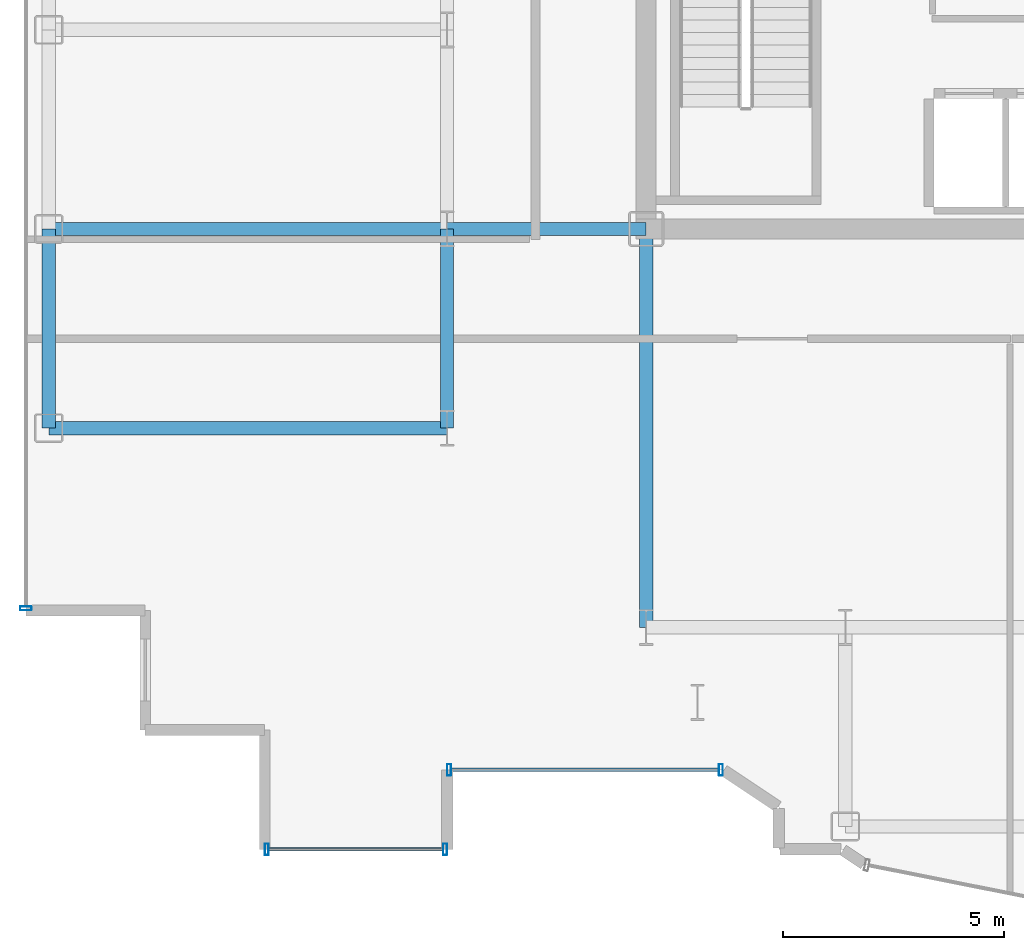
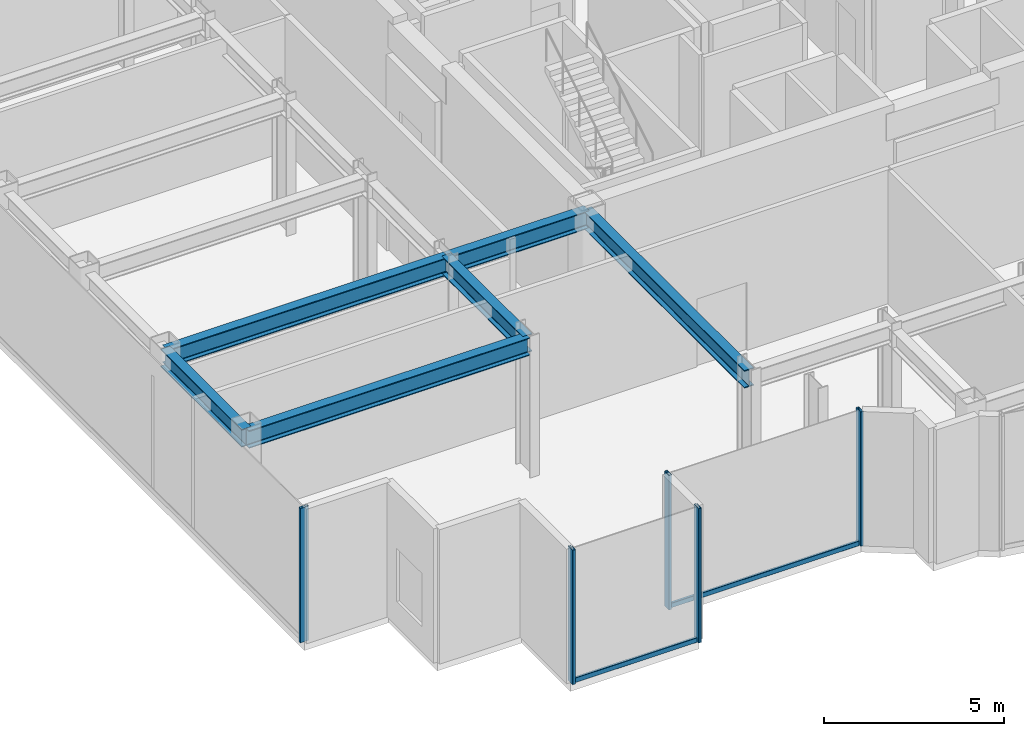
# One storey, part 2 of 20: 7 members, 6 beams, 3 elements without a shape of their own.
"""IFC4 building model written with IfcOpenShell, lengths in metres."""

import ifcopenshell
import ifcopenshell.guid

model = None  # the IFC model being written
_history = None  # IfcOwnerHistory: only IFC2X3 demands one
_inside = {}  # id of a spatial element -> (the spatial element, [elements in it])
_under = {}  # id of a project, library or spatial element -> (it, [spatial elements below it])
_declared = {}  # id of a project -> (the project, [libraries it declares])
_typed = {}  # id of a type object -> (the type object, [elements of that type])
_made_of = {}  # id of a material, layer set ... -> (it, [elements and type objects made of it])


def new_model(schema):
    """Start an empty IFC model of exactly this schema.

    Asked for "IFC4X3", IfcOpenShell would pick the latest addendum, in which some entities
    have other attributes; the version numbers below select the first issue.
    IFC2X3 requires an IfcOwnerHistory on every rooted entity: one is made here for all.
    """
    global model, _history
    if schema == "IFC4X3":
        model = ifcopenshell.file(schema_version=(4, 3, 0, 0))
    else:
        model = ifcopenshell.file(schema=schema)
    _inside.clear()
    _under.clear()
    _declared.clear()
    _typed.clear()
    _made_of.clear()
    _history = None
    if model.schema == "IFC2X3":
        org = make("IfcOrganization", Name="unknown")
        user = make(
            "IfcPersonAndOrganization",
            ThePerson=make("IfcPerson", FamilyName="unknown"),
            TheOrganization=org,
        )
        app = make(
            "IfcApplication",
            ApplicationDeveloper=org,
            Version="unknown",
            ApplicationFullName="unknown",
            ApplicationIdentifier="unknown",
        )
        _history = make(
            "IfcOwnerHistory",
            OwningUser=user,
            OwningApplication=app,
            ChangeAction="ADDED",
            CreationDate=0,
        )
    return model


def make(cls, **values):
    """One entity of the class cls with the attributes given. An attribute that is None is left unset."""
    return model.create_entity(
        cls, **{name: value for name, value in values.items() if value is not None}
    )


def rooted(cls, **values):
    """An entity with a GlobalId (a new one), such as an element, a storey or a relation."""
    return make(cls, GlobalId=ifcopenshell.guid.new(), OwnerHistory=_history, **values)


def si_unit(unit_type, name, prefix=None):
    """IfcSIUnit, for example si_unit("LENGTHUNIT", "METRE", prefix="MILLI")."""
    return make("IfcSIUnit", UnitType=unit_type, Prefix=prefix, Name=name)


def assignment(units):
    """IfcUnitAssignment: the units of a project."""
    return None if units is None else make("IfcUnitAssignment", Units=units)


def point(xyz):
    """IfcCartesianPoint."""
    return None if xyz is None else make("IfcCartesianPoint", Coordinates=xyz)


def direction(xyz):
    """IfcDirection."""
    return None if xyz is None else make("IfcDirection", DirectionRatios=xyz)


def frame(location, z_axis=None, x_axis=None):
    """IfcAxis2Placement3D, a coordinate frame: its origin and axes. An axis left out is left unset."""
    return make(
        "IfcAxis2Placement3D",
        Location=point(location),
        Axis=direction(z_axis),
        RefDirection=direction(x_axis),
    )


def frame_2d(location, x_axis=None):
    """IfcAxis2Placement2D, a coordinate frame in the plane: its origin and x axis."""
    return make(
        "IfcAxis2Placement2D", Location=point(location), RefDirection=direction(x_axis)
    )


def origin():
    """The frame at (0, 0, 0) with its axes left unset."""
    return frame((0.0, 0.0, 0.0))


def origin_2d():
    """The frame at (0, 0) in the plane with its x axis left unset."""
    return frame_2d((0.0, 0.0))


def place(relative_to, where):
    """IfcLocalPlacement: puts the frame where relative to a parent placement (None: the world)."""
    return make(
        "IfcLocalPlacement", PlacementRelTo=relative_to, RelativePlacement=where
    )


def context(
    kind, dimensions, precision=None, world=None, true_north=None, identifier=None
):
    """IfcGeometricRepresentationContext, for example the 3D "Model" context."""
    return make(
        "IfcGeometricRepresentationContext",
        ContextIdentifier=identifier,
        ContextType=kind,
        CoordinateSpaceDimension=dimensions,
        Precision=precision,
        WorldCoordinateSystem=world,
        TrueNorth=true_north,
    )


def subcontext(parent, identifier, kind, view, scale=None):
    """IfcGeometricRepresentationSubContext, for example "Body" below "Model"."""
    return make(
        "IfcGeometricRepresentationSubContext",
        ContextIdentifier=identifier,
        ContextType=kind,
        ParentContext=parent,
        TargetScale=scale,
        TargetView=view,
    )


def project(units=None, contexts=None):
    """IfcProject with its units and contexts."""
    return rooted(
        "IfcProject",
        Name="project",
        RepresentationContexts=contexts,
        UnitsInContext=assignment(units),
    )


def spatial(cls, under=None, at=None, **own):
    """A site, building, storey or space (cls), placed at a placement, below another one or the project."""
    s = rooted(cls, ObjectPlacement=at, **own)
    if under is not None:
        _under.setdefault(under.id(), (under, []))[1].append(s)
    return s


def profile(cls, at=None, kind="AREA", **sizes):
    """A parametric profile (cls). Its sizes go by their IFC names, for example OverallWidth=200.0."""
    return make(cls, ProfileType=kind, Position=at, **sizes)


def hollow_rectangle(**sizes):
    """IfcRectangleHollowProfileDef."""
    return profile("IfcRectangleHollowProfileDef", **sizes)


def i_section(**sizes):
    """IfcIShapeProfileDef."""
    return profile("IfcIShapeProfileDef", **sizes)


def extrude(swept, where, along, depth):
    """IfcExtrudedAreaSolid: the profile swept, set in the frame where, extruded along a direction by depth."""
    return make(
        "IfcExtrudedAreaSolid",
        SweptArea=swept,
        Position=where,
        ExtrudedDirection=direction(along),
        Depth=depth,
    )


def shape(context_of_items, identifier, shape_type, items):
    """IfcShapeRepresentation: the items that make up one representation, for example the "Body"."""
    return make(
        "IfcShapeRepresentation",
        ContextOfItems=context_of_items,
        RepresentationIdentifier=identifier,
        RepresentationType=shape_type,
        Items=items,
    )


def source(mapping_origin, context_of_items, identifier, shape_type, items):
    """IfcRepresentationMap: a shape defined once, which mapped items show again and again."""
    return make(
        "IfcRepresentationMap",
        MappingOrigin=mapping_origin,
        MappedRepresentation=shape(context_of_items, identifier, shape_type, items),
    )


def transform(
    local_origin,
    x_axis=None,
    y_axis=None,
    z_axis=None,
    scale=None,
    scale2=None,
    scale3=None,
    uniform=True,
):
    """IfcCartesianTransformationOperator3D, or its non-uniform kind. x_axis, y_axis, z_axis: its Axis1, 2, 3."""
    if uniform:
        return make(
            "IfcCartesianTransformationOperator3D",
            Axis1=direction(x_axis),
            Axis2=direction(y_axis),
            LocalOrigin=point(local_origin),
            Scale=scale,
            Axis3=direction(z_axis),
        )
    return make(
        "IfcCartesianTransformationOperator3DnonUniform",
        Axis1=direction(x_axis),
        Axis2=direction(y_axis),
        LocalOrigin=point(local_origin),
        Scale=scale,
        Axis3=direction(z_axis),
        Scale2=scale2,
        Scale3=scale3,
    )


def mapped(mapping_source, mapping_target):
    """IfcMappedItem: shows the shape of a source again, moved by a transform."""
    return make(
        "IfcMappedItem", MappingSource=mapping_source, MappingTarget=mapping_target
    )


def material(Name=None, Category=None):
    """IfcMaterial."""
    return make("IfcMaterial", Name=Name, Category=Category)


def layer(
    of_material, thickness, ventilated=None, Name=None, Category=None, Priority=None
):
    """IfcMaterialLayer: one layer of a wall or slab, of a material (None: an air gap)."""
    return make(
        "IfcMaterialLayer",
        Material=of_material,
        LayerThickness=thickness,
        IsVentilated=ventilated,
        Name=Name,
        Category=Category,
        Priority=Priority,
    )


def layer_set(layers, Name=None):
    """IfcMaterialLayerSet."""
    return make("IfcMaterialLayerSet", MaterialLayers=layers, LayerSetName=Name)


def material_profile(
    of_material, cross_section, Name=None, Category=None, Priority=None
):
    """IfcMaterialProfile: a cross section and its material."""
    return make(
        "IfcMaterialProfile",
        Name=Name,
        Material=of_material,
        Profile=cross_section,
        Priority=Priority,
        Category=Category,
    )


def profile_set(profiles, Name=None, composite=None):
    """IfcMaterialProfileSet."""
    return make(
        "IfcMaterialProfileSet",
        Name=Name,
        MaterialProfiles=profiles,
        CompositeProfile=composite,
    )


def made_of(thing, what):
    """Note that an element or type object is made of a material, layer set ...; save() writes the relation."""
    if what is not None:
        _made_of.setdefault(what.id(), (what, []))[1].append(thing)
    return thing


def type_object(cls, material=None, **own):
    """A type object (cls), such as IfcWallType, which elements share."""
    return made_of(rooted(cls, **own), material)


def element(
    cls,
    number,
    at=None,
    inside=None,
    cuts=None,
    type_object=None,
    material=None,
    context=None,
    identifier="Body",
    shape_type=None,
    held_by="IfcProductDefinitionShape",
    body=None,
    shapes=None,
    **own,
):
    """One element of the class cls, such as IfcWall. Its Tag is "e" and its number.

    at: its placement. inside: the storey or other place that contains it. cuts: it is an
    opening in that element (IfcRelVoidsElement). A single representation is given by context,
    identifier, shape_type and body (its items); several are given by shapes. held_by: the class
    of the entity that holds the representations. save() writes the other relations.
    """
    e = rooted(cls, Tag="e%d" % number, ObjectPlacement=at, **own)
    if body is not None:
        shapes = [shape(context, identifier, shape_type, body)]
    if shapes is not None:
        e.Representation = make(held_by, Representations=shapes)
    if inside is not None:
        _inside.setdefault(inside.id(), (inside, []))[1].append(e)
    if cuts is not None:
        rooted(
            "IfcRelVoidsElement", RelatingBuildingElement=cuts, RelatedOpeningElement=e
        )
    if type_object is not None:
        _typed.setdefault(type_object.id(), (type_object, []))[1].append(e)
    return made_of(e, material)


def aggregate(whole, parts):
    """IfcRelAggregates: a whole, such as a stair, and the parts it consists of."""
    return rooted("IfcRelAggregates", RelatingObject=whole, RelatedObjects=parts)


def save(model, path):
    """Write the relations noted so far, then the file.

    IfcRelAggregates (storeys below a building ...), IfcRelContainedInSpatialStructure (elements
    in a storey), IfcRelDefinesByType, IfcRelAssociatesMaterial and IfcRelDeclares: one each for
    every whole, place, type object, material and project.
    """
    for whole, parts in _under.values():
        aggregate(whole, parts)
    for where, things in _inside.values():
        rooted(
            "IfcRelContainedInSpatialStructure",
            RelatedElements=things,
            RelatingStructure=where,
        )
    for kind, things in _typed.values():
        rooted("IfcRelDefinesByType", RelatedObjects=things, RelatingType=kind)
    for what, things in _made_of.values():
        rooted("IfcRelAssociatesMaterial", RelatedObjects=things, RelatingMaterial=what)
    for by, libraries in _declared.values():
        rooted("IfcRelDeclares", RelatingContext=by, RelatedDefinitions=libraries)
    model.write(path)


model = new_model("IFC4")

# Units and contexts
model_context = context("Model", 3, precision=1e-05, world=origin(), true_north=direction((0.0, 1.0)))
body_context = subcontext(model_context, "Body", "Model", "MODEL_VIEW")
ifc_project = project(units=[si_unit("LENGTHUNIT", "METRE"), si_unit("AREAUNIT", "SQUARE_METRE"), si_unit("VOLUMEUNIT", "CUBIC_METRE"), si_unit("PLANEANGLEUNIT", "RADIAN"), si_unit("MASSUNIT", "GRAM", prefix="KILO")], contexts=[model_context])

# Site, building, storey
site_placement = place(None, origin())
site = spatial("IfcSite", under=ifc_project, at=site_placement, CompositionType="ELEMENT")
building_placement = place(site_placement, origin())
building = spatial("IfcBuilding", under=site, at=building_placement, Name="Nefas-Gora Pilgrimage Tower", CompositionType="ELEMENT")
storey_placement = place(building_placement, frame((0.0, 0.0, 259.800048828125)))
storey = spatial("IfcBuildingStorey", under=building, at=storey_placement, Name="L65", CompositionType="ELEMENT", Elevation=259.800048828125)

# Beams
ifc_material_1 = material(Name="Steel S355", Category="steel")
ifc_material_profile_1 = material_profile(ifc_material_1, i_section(OverallWidth=0.300048828125, OverallDepth=0.60009765625, WebThickness=0.015380859375, FlangeThickness=0.030029296875, FilletRadius=0.027099609375, at=origin_2d()), Name="HEB 600")
ifc_profile_set_1 = profile_set([ifc_material_profile_1], Name="Steel S355")
beam_type_1 = type_object("IfcBeamType", Name="BM-SPN-HEB450", PredefinedType="SPANDREL", material=ifc_profile_set_1)
shared_shape_1 = source(origin(), body_context, "Body", "SweptSolid", [
    extrude(i_section(OverallWidth=0.300048828125, OverallDepth=0.60009765625, WebThickness=0.015380859375, FlangeThickness=0.030029296875, FilletRadius=0.027099609375, at=origin_2d()), origin(), (0.0, 0.0, 1.0), 4.5),
])
beam_placement = place(storey_placement, frame((-24.75, -13.5, 4.25), z_axis=(0.0, 1.0, 0.0), x_axis=(-1.0, 0.0, 0.0)))
element("IfcBeam", 1, at=beam_placement, inside=storey, type_object=beam_type_1, Name="L65 SP-03 beam", PredefinedType="SPANDREL", context=body_context, shape_type="MappedRepresentation", body=[
    mapped(shared_shape_1, transform((0.0, 0.0, 0.0), x_axis=(1.0, 0.0, 0.0), y_axis=(0.0, 1.0, 0.0), z_axis=(0.0, 0.0, 1.0), scale=1.0)),
])
ifc_material_profile_2 = material_profile(ifc_material_1, i_section(OverallWidth=0.300048828125, OverallDepth=0.60009765625, WebThickness=0.015380859375, FlangeThickness=0.030029296875, FilletRadius=0.027099609375, at=origin_2d()), Name="HEB 600")
ifc_profile_set_2 = profile_set([ifc_material_profile_2], Name="Steel S355")
beam_type_2 = type_object("IfcBeamType", Name="BM-GIR-HEB600", PredefinedType="BEAM", material=ifc_profile_set_2)
shared_shape_2 = source(origin(), body_context, "Body", "SweptSolid", [
    extrude(i_section(OverallWidth=0.300048828125, OverallDepth=0.60009765625, WebThickness=0.015380859375, FlangeThickness=0.030029296875, FilletRadius=0.027099609375, at=origin_2d()), origin(), (0.0, 0.0, 1.0), 9.0),
])
for number, where, z_axis, x_axis, name in (
    (2, (-24.75, -13.5, 4.25), (1.0, 0.0, 0.0), (0.0, 1.0, 0.0), "L65 G-04 beam"),
    (3, (-24.75, -9.0, 4.25), (1.0, 0.0, 0.0), (0.0, 1.0, 0.0), "L65 G-04 beam"),
    (4, (-11.25, -18.0, 4.25), (0.0, 1.0, 0.0), (-1.0, 0.0, 0.0), "L65 G-04 beam"),
):
    element("IfcBeam", number, at=place(storey_placement, frame(where, z_axis=z_axis, x_axis=x_axis)), inside=storey, type_object=beam_type_2, Name=name, PredefinedType="BEAM", context=body_context, shape_type="MappedRepresentation", body=[
        mapped(shared_shape_2, transform((0.0, 0.0, 0.0), x_axis=(1.0, 0.0, 0.0), y_axis=(0.0, 1.0, 0.0), z_axis=(0.0, 0.0, 1.0), scale=1.0)),
    ])
shared_shape_3 = source(origin(), body_context, "Body", "SweptSolid", [
    extrude(i_section(OverallWidth=0.300048828125, OverallDepth=0.60009765625, WebThickness=0.015380859375, FlangeThickness=0.030029296875, FilletRadius=0.027099609375, at=origin_2d()), origin(), (0.0, 0.0, 1.0), 4.5),
])
for number, where, z_axis, x_axis, name in (
    (5, (-15.75, -13.5, 4.25), (0.0, 1.0, 0.0), (-1.0, 0.0, 0.0), "L65 G-04 beam"),
    (6, (-15.75, -9.0, 4.25), (1.0, 0.0, 0.0), (0.0, 1.0, 0.0), "L65 G-04 beam"),
):
    element("IfcBeam", number, at=place(storey_placement, frame(where, z_axis=z_axis, x_axis=x_axis)), inside=storey, type_object=beam_type_2, Name=name, PredefinedType="BEAM", context=body_context, shape_type="MappedRepresentation", body=[
        mapped(shared_shape_3, transform((0.0, 0.0, 0.0), x_axis=(1.0, 0.0, 0.0), y_axis=(0.0, 1.0, 0.0), z_axis=(0.0, 0.0, 1.0), scale=1.0)),
    ])

# Curtain wall, members
ifc_material_2 = material(Name="Dark ceramic-fritted solar-control aluminium-glass curtain wall", Category="aluminium")
ifc_layer_1 = layer(ifc_material_2, 0.219970703125)
ifc_layer_set_1 = layer_set([ifc_layer_1], Name="Dark ceramic-fritted solar-control aluminium-glass curtain wall")
curtain_wall_type_1 = type_object("IfcCurtainWallType", Name="CW-SYS-5", PredefinedType="NOTDEFINED", material=ifc_layer_set_1)
curtain_wall_1_placement = place(storey_placement, origin())
curtain_wall_1 = element("IfcCurtainWall", 7, at=curtain_wall_1_placement, inside=storey, type_object=curtain_wall_type_1, Name="L65 Unitised Curtain Wall CW5", PredefinedType="NOTDEFINED")
ifc_material_3 = material(Name="Anodised architectural aluminium", Category="aluminium")
ifc_material_profile_3 = material_profile(ifc_material_3, hollow_rectangle(XDim=0.080078125, YDim=0.159912109375, WallThickness=0.00439453125, InnerFilletRadius=0.00439453125, OuterFilletRadius=0.009033203125, at=origin_2d()), Name="ALU TRANSOM 80x160")
ifc_profile_set_3 = profile_set([ifc_material_profile_3], Name="Anodised architectural aluminium")
member_type_1 = type_object("IfcMemberType", Name="CWM-TRN-5", PredefinedType="USERDEFINED", material=ifc_profile_set_3)
shared_shape_4 = source(origin(), body_context, "Body", "SweptSolid", [
    extrude(hollow_rectangle(XDim=0.080078125, YDim=0.159912109375, WallThickness=0.00439453125, InnerFilletRadius=0.00439453125, OuterFilletRadius=0.009033203125, at=origin_2d()), origin(), (0.0, 0.0, 1.0), 6.052001953125),
])
member_1_placement = place(storey_placement, frame((-15.659912109375, -21.219970703125, 0.050048828125), z_axis=(1.0, 0.0, 0.0), x_axis=(0.0, 1.0, 0.0)))
member_1 = element("IfcMember", 8, at=member_1_placement, type_object=member_type_1, Name="CW5 Spandrel Transom", ObjectType="TRANSOM", PredefinedType="USERDEFINED", context=body_context, shape_type="MappedRepresentation", body=[
    mapped(shared_shape_4, transform((0.0, 0.0, 0.0), x_axis=(1.0, 0.0, 0.0), y_axis=(0.0, 1.0, 0.0), z_axis=(0.0, 0.0, 1.0), scale=1.0)),
])
ifc_material_profile_4 = material_profile(ifc_material_3, hollow_rectangle(XDim=0.090087890625, YDim=0.260009765625, WallThickness=0.006103515625, InnerFilletRadius=0.006103515625, OuterFilletRadius=0.011962890625, at=origin_2d()), Name="ALU MULLION 90x260")
ifc_profile_set_4 = profile_set([ifc_material_profile_4], Name="Anodised architectural aluminium")
member_type_2 = type_object("IfcMemberType", Name="CWM-MUL-5", PredefinedType="MULLION", material=ifc_profile_set_4)
shared_shape_5 = source(origin(), body_context, "Body", "SweptSolid", [
    extrude(hollow_rectangle(XDim=0.090087890625, YDim=0.260009765625, WallThickness=0.006103515625, InnerFilletRadius=0.006103515625, OuterFilletRadius=0.011962890625, at=origin_2d()), origin(), (0.0, 0.0, 1.0), 4.550048828125),
])
member_2_placement = place(storey_placement, frame((-15.705078125, -21.219970703125, 0.0), z_axis=(0.0, 0.0, 1.0), x_axis=(1.0, 0.0, 0.0)))
member_2 = element("IfcMember", 9, at=member_2_placement, type_object=member_type_2, Name="CW5 Mullion 1", PredefinedType="MULLION", context=body_context, shape_type="MappedRepresentation", body=[
    mapped(shared_shape_5, transform((0.0, 0.0, 0.0), x_axis=(1.0, 0.0, 0.0), y_axis=(0.0, 1.0, 0.0), z_axis=(0.0, 0.0, 1.0), scale=1.0)),
])
member_3_placement = place(storey_placement, frame((-9.56298828125, -21.219970703125, 0.0), z_axis=(0.0, 0.0, 1.0), x_axis=(1.0, 0.0, 0.0)))
member_3 = element("IfcMember", 10, at=member_3_placement, type_object=member_type_2, Name="CW5 Mullion 2", PredefinedType="MULLION", context=body_context, shape_type="MappedRepresentation", body=[
    mapped(shared_shape_5, transform((0.0, 0.0, 0.0), x_axis=(1.0, 0.0, 0.0), y_axis=(0.0, 1.0, 0.0), z_axis=(0.0, 0.0, 1.0), scale=1.0)),
])
aggregate(curtain_wall_1, [member_2, member_3, member_1])

# Curtain wall, member
ifc_layer_2 = layer(ifc_material_2, 0.219970703125)
ifc_layer_set_2 = layer_set([ifc_layer_2], Name="Dark ceramic-fritted solar-control aluminium-glass curtain wall")
curtain_wall_type_2 = type_object("IfcCurtainWallType", Name="CW-SYS-3", PredefinedType="NOTDEFINED", material=ifc_layer_set_2)
curtain_wall_2_placement = place(storey_placement, origin())
curtain_wall_2 = element("IfcCurtainWall", 11, at=curtain_wall_2_placement, inside=storey, type_object=curtain_wall_type_2, Name="L65 Unitised Curtain Wall CW3", PredefinedType="NOTDEFINED")
ifc_material_profile_5 = material_profile(ifc_material_3, hollow_rectangle(XDim=0.080078125, YDim=0.159912109375, WallThickness=0.00439453125, InnerFilletRadius=0.00439453125, OuterFilletRadius=0.009033203125, at=origin_2d()), Name="ALU TRANSOM 80x160")
ifc_profile_set_5 = profile_set([ifc_material_profile_5], Name="Anodised architectural aluminium")
member_type_3 = type_object("IfcMemberType", Name="CWM-TRN-3", PredefinedType="USERDEFINED", material=ifc_profile_set_5)
shared_shape_6 = source(origin(), body_context, "Body", "SweptSolid", [
    extrude(hollow_rectangle(XDim=0.080078125, YDim=0.159912109375, WallThickness=0.00439453125, InnerFilletRadius=0.00439453125, OuterFilletRadius=0.009033203125, at=origin_2d()), origin(), (0.0, 0.0, 1.0), 3.93994140625),
])
member_4_placement = place(storey_placement, frame((-19.780029296875, -23.02001953125, 0.050048828125), z_axis=(1.0, 0.0, 0.0), x_axis=(0.0, 1.0, 0.0)))
member_4 = element("IfcMember", 12, at=member_4_placement, type_object=member_type_3, Name="CW3 Spandrel Transom", ObjectType="TRANSOM", PredefinedType="USERDEFINED", context=body_context, shape_type="MappedRepresentation", body=[
    mapped(shared_shape_6, transform((0.0, 0.0, 0.0), x_axis=(1.0, 0.0, 0.0), y_axis=(0.0, 1.0, 0.0), z_axis=(0.0, 0.0, 1.0), scale=1.0)),
])

curtain_wall_3_placement = place(storey_placement, origin())
curtain_wall_3 = element("IfcCurtainWall", 13, at=curtain_wall_3_placement, inside=storey, type_object=curtain_wall_type_2, Name="L65 Unitised Curtain Wall CW3", PredefinedType="NOTDEFINED")
ifc_material_profile_6 = material_profile(ifc_material_3, hollow_rectangle(XDim=0.090087890625, YDim=0.260009765625, WallThickness=0.006103515625, InnerFilletRadius=0.006103515625, OuterFilletRadius=0.011962890625, at=origin_2d()), Name="ALU MULLION 90x260")
ifc_profile_set_6 = profile_set([ifc_material_profile_6], Name="Anodised architectural aluminium")
member_type_4 = type_object("IfcMemberType", Name="CWM-MUL-3", PredefinedType="MULLION", material=ifc_profile_set_6)
shared_shape_7 = source(origin(), body_context, "Body", "SweptSolid", [
    extrude(hollow_rectangle(XDim=0.090087890625, YDim=0.260009765625, WallThickness=0.006103515625, InnerFilletRadius=0.006103515625, OuterFilletRadius=0.011962890625, at=origin_2d()), origin(), (0.0, 0.0, 1.0), 4.550048828125),
])
member_5_placement = place(storey_placement, frame((-25.27001953125, -17.574951171875, 0.0), z_axis=(0.0, 0.0, 1.0), x_axis=(0.0, -1.0, 0.0)))
member_5 = element("IfcMember", 14, at=member_5_placement, type_object=member_type_4, Name="CW3 Mullion 2", PredefinedType="MULLION", context=body_context, shape_type="MappedRepresentation", body=[
    mapped(shared_shape_7, transform((0.0, 0.0, 0.0), x_axis=(1.0, 0.0, 0.0), y_axis=(0.0, 1.0, 0.0), z_axis=(0.0, 0.0, 1.0), scale=1.0)),
])
aggregate(curtain_wall_3, [member_5])

# Member
member_6_placement = place(storey_placement, frame((-19.824951171875, -23.02001953125, 0.0), z_axis=(0.0, 0.0, 1.0), x_axis=(1.0, 0.0, 0.0)))
member_6 = element("IfcMember", 15, at=member_6_placement, type_object=member_type_4, Name="CW3 Mullion 1", PredefinedType="MULLION", context=body_context, shape_type="MappedRepresentation", body=[
    mapped(shared_shape_7, transform((0.0, 0.0, 0.0), x_axis=(1.0, 0.0, 0.0), y_axis=(0.0, 1.0, 0.0), z_axis=(0.0, 0.0, 1.0), scale=1.0)),
])

member_7_placement = place(storey_placement, frame((-15.794921875, -23.02001953125, 0.0), z_axis=(0.0, 0.0, 1.0), x_axis=(1.0, 0.0, 0.0)))
member_7 = element("IfcMember", 16, at=member_7_placement, type_object=member_type_4, Name="CW3 Mullion 2", PredefinedType="MULLION", context=body_context, shape_type="MappedRepresentation", body=[
    mapped(shared_shape_7, transform((0.0, 0.0, 0.0), x_axis=(1.0, 0.0, 0.0), y_axis=(0.0, 1.0, 0.0), z_axis=(0.0, 0.0, 1.0), scale=1.0)),
])

aggregate(curtain_wall_2, [member_6, member_7, member_4])

save(model, "model.ifc")
